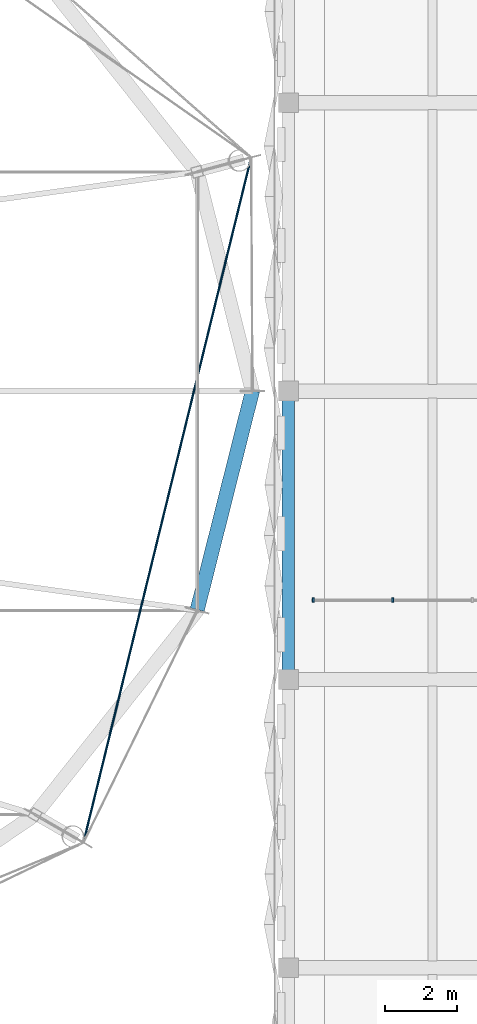
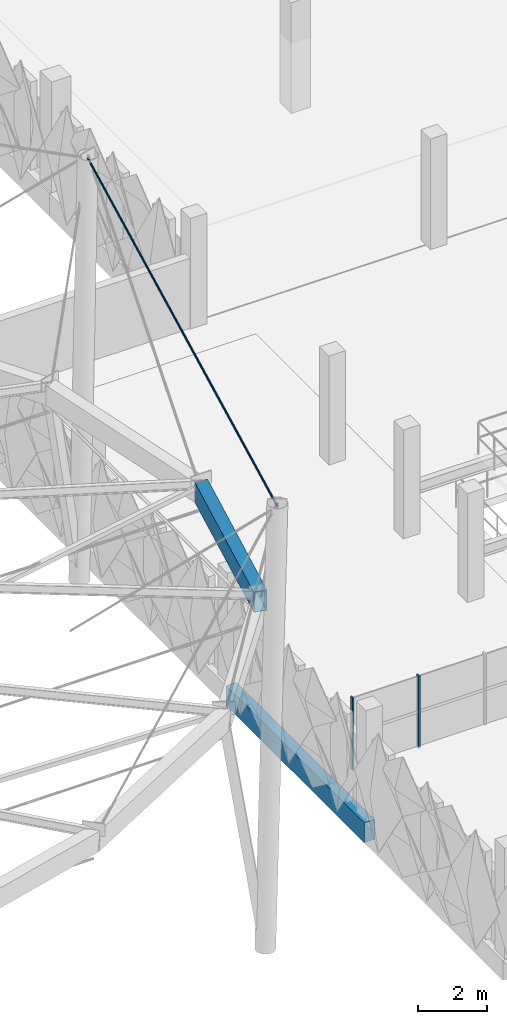
# One storey, part 23 of 96: 3 members, 2 beams, 1 element without a shape of its own.
"""IFC4 building model written with IfcOpenShell, lengths in metres."""

from ifc_helpers import new_model, si_unit, derived_unit, direction, frame, origin, origin_2d, place, context, subcontext, project, spatial, rectangle, hollow_rectangle, circle, extrude, material, layer, layer_set, material_profile, profile_set, type_object, element, aggregate, save


model = new_model("IFC4")

# Units and contexts
model_context = context("Model", 3, precision=1e-05, world=origin(), true_north=direction((0.0, 1.0)))
body_context = subcontext(model_context, "Body", "Model", "MODEL_VIEW")
ifc_project = project(units=[si_unit("LENGTHUNIT", "METRE"), si_unit("AREAUNIT", "SQUARE_METRE"), si_unit("VOLUMEUNIT", "CUBIC_METRE"), si_unit("PLANEANGLEUNIT", "RADIAN"), si_unit("MASSUNIT", "GRAM", prefix="KILO"), si_unit("THERMODYNAMICTEMPERATUREUNIT", "KELVIN"), derived_unit("THERMALTRANSMITTANCEUNIT", [(si_unit("POWERUNIT", "WATT"), 1), (si_unit("AREAUNIT", "SQUARE_METRE"), -1), (si_unit("THERMODYNAMICTEMPERATUREUNIT", "KELVIN"), -1)])], contexts=[model_context])

# Site, building, storey
site_placement = place(None, origin())
site = spatial("IfcSite", under=ifc_project, at=site_placement, CompositionType="ELEMENT")
building_placement = place(site_placement, origin())
building = spatial("IfcBuilding", under=site, at=building_placement, Name="Haiyu Intermodal Mobility Hub", CompositionType="ELEMENT")
storey_placement = place(building_placement, frame((0.0, 0.0, 9.5)))
storey = spatial("IfcBuildingStorey", under=building, at=storey_placement, Name="L02", CompositionType="ELEMENT", Elevation=9.5)

# Beams
ifc_material_1 = material(Name="Concrete C40", Category="concrete")
ifc_material_profile_1 = material_profile(ifc_material_1, rectangle(XDim=0.35009765625, YDim=0.699951171875, at=origin_2d()), Name="RCB350x700")
ifc_profile_set_1 = profile_set([ifc_material_profile_1], Name="Concrete C40")
beam_type_1 = type_object("IfcBeamType", Name="BM-CB06", PredefinedType="BEAM", material=ifc_profile_set_1)
beam_1_placement = place(storey_placement, frame((154.0, 56.0, -0.610107421875), z_axis=(0.0, 1.0, 0.0), x_axis=(-1.0, 0.0, 0.0)))
element("IfcBeam", 1, at=beam_1_placement, inside=storey, type_object=beam_type_1, Name="BM-V5T-L02-006", PredefinedType="BEAM", context=body_context, shape_type="SweptSolid", body=[
    extrude(rectangle(XDim=0.35009765625, YDim=0.699951171875, at=origin_2d()), origin(), (0.0, 0.0, 1.0), 8.0),
])
ifc_material_2 = material(Name="Steel Q355C", Category="steel")
ifc_material_profile_2 = material_profile(ifc_material_2, hollow_rectangle(XDim=0.39990234375, YDim=0.699951171875, WallThickness=0.02197265625, at=origin_2d()), Name="RHS700x400x22")
ifc_profile_set_2 = profile_set([ifc_material_profile_2], Name="Steel Q355C")
beam_type_2 = type_object("IfcBeamType", Name="BM-SB01", PredefinedType="BEAM", material=ifc_profile_set_2)
beam_2_placement = place(storey_placement, frame((151.467041015625, 57.91796875, 7.221923828125), z_axis=(0.244082052934, 0.968398168927, -0.051273168947), x_axis=(-0.969673613579, 0.244403525195, 0.0)))
element("IfcBeam", 2, at=beam_2_placement, inside=storey, type_object=beam_type_2, Name="Compression Ring Chord RB-24", PredefinedType="BEAM", context=body_context, shape_type="SweptSolid", body=[
    extrude(hollow_rectangle(XDim=0.39990234375, YDim=0.699951171875, WallThickness=0.02197265625, at=origin_2d()), origin(), (0.0, 0.0, 1.0), 6.280517578125),
])

# Curtain wall, members
ifc_material_3 = material(Name="Low-e laminated insulating glass", Category="glass")
ifc_layer = layer(ifc_material_3, 0.179931640625)
ifc_layer_set = layer_set([ifc_layer], Name="Low-e laminated insulating glass")
curtain_wall_type = type_object("IfcCurtainWallType", Name="CW-CW06", PredefinedType="NOTDEFINED", material=ifc_layer_set)
curtain_wall_placement = place(storey_placement, origin())
curtain_wall = element("IfcCurtainWall", 3, at=curtain_wall_placement, inside=storey, type_object=curtain_wall_type, Name="Curtain Wall CW-INT-05", PredefinedType="NOTDEFINED")
ifc_material_4 = material(Name="Anodised aluminium 6063-T6", Category="aluminium")
ifc_material_profile_3 = material_profile(ifc_material_4, rectangle(XDim=0.054931640625, YDim=0.125, at=origin_2d()), Name="ALU55x125")
ifc_profile_set_3 = profile_set([ifc_material_profile_3], Name="Anodised aluminium 6063-T6")
member_type_1 = type_object("IfcMemberType", Name="CWM-ML04", PredefinedType="MULLION", material=ifc_profile_set_3)
member_1_placement = place(storey_placement, frame((154.68994140625, 58.199951171875, 0.0), z_axis=(0.0, 0.0, 1.0), x_axis=(1.0, 0.0, 0.0)))
member_1 = element("IfcMember", 4, at=member_1_placement, type_object=member_type_1, Name="CW-INT-05-ML01", PredefinedType="MULLION", context=body_context, shape_type="SweptSolid", body=[
    extrude(rectangle(XDim=0.054931640625, YDim=0.125, at=origin_2d()), origin(), (0.0, 0.0, 1.0), 2.550048828125),
])
member_2_placement = place(storey_placement, frame((156.89697265625, 58.199951171875, 0.0), z_axis=(0.0, 0.0, 1.0), x_axis=(1.0, 0.0, 0.0)))
member_2 = element("IfcMember", 5, at=member_2_placement, type_object=member_type_1, Name="CW-INT-05-ML02", PredefinedType="MULLION", context=body_context, shape_type="SweptSolid", body=[
    extrude(rectangle(XDim=0.054931640625, YDim=0.125, at=origin_2d()), origin(), (0.0, 0.0, 1.0), 2.550048828125),
])
aggregate(curtain_wall, [member_1, member_2])

# Member
ifc_material_5 = material(Name="Galvanized steel cable 1670 MPa", Category="steel")
ifc_material_profile_4 = material_profile(ifc_material_5, circle(Radius=0.032470703125, at=origin_2d()), Name="CABLE65")
ifc_profile_set_4 = profile_set([ifc_material_profile_4], Name="Galvanized steel cable 1670 MPa")
member_type_2 = type_object("IfcMemberType", Name="MEM-TC03", PredefinedType="USERDEFINED", material=ifc_profile_set_4)
member_3_placement = place(storey_placement, frame((148.31298828125, 51.47509765625, 15.580078125), z_axis=(0.237444067567, 0.970366139545, -0.044831573725), x_axis=(-0.97134276686, 0.237683043715, 0.0)))
element("IfcMember", 6, at=member_3_placement, inside=storey, type_object=member_type_2, Name="Cable-Net Tendon CB-RG-047", ObjectType="TENSION CABLE", PredefinedType="USERDEFINED", context=body_context, shape_type="SweptSolid", body=[
    extrude(circle(Radius=0.032470703125, at=origin_2d()), origin(), (0.0, 0.0, 1.0), 19.58837890625),
])

save(model, "model.ifc")
